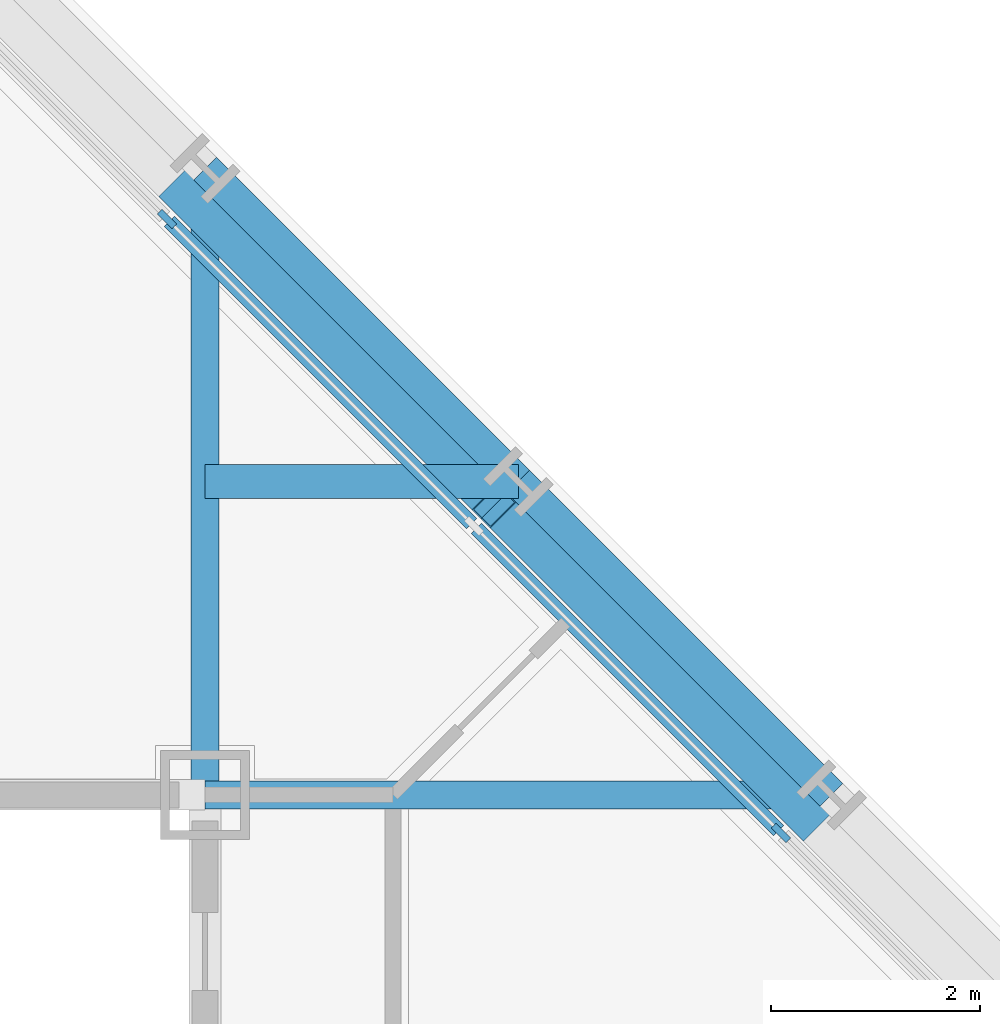
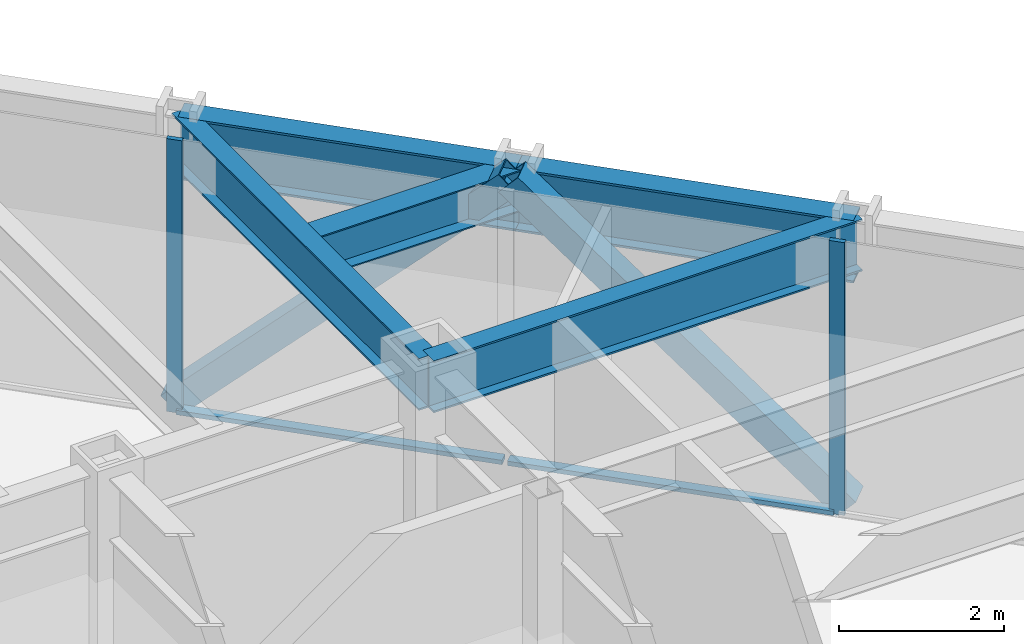
# One storey, part 8 of 15: 6 members, 5 beams, 1 element without a shape of its own.
"""IFC4 building model written with IfcOpenShell, lengths in metres."""

import ifcopenshell
import ifcopenshell.guid

model = None  # the IFC model being written
_history = None  # IfcOwnerHistory: only IFC2X3 demands one
_inside = {}  # id of a spatial element -> (the spatial element, [elements in it])
_under = {}  # id of a project, library or spatial element -> (it, [spatial elements below it])
_declared = {}  # id of a project -> (the project, [libraries it declares])
_typed = {}  # id of a type object -> (the type object, [elements of that type])
_made_of = {}  # id of a material, layer set ... -> (it, [elements and type objects made of it])


def new_model(schema):
    """Start an empty IFC model of exactly this schema.

    Asked for "IFC4X3", IfcOpenShell would pick the latest addendum, in which some entities
    have other attributes; the version numbers below select the first issue.
    IFC2X3 requires an IfcOwnerHistory on every rooted entity: one is made here for all.
    """
    global model, _history
    if schema == "IFC4X3":
        model = ifcopenshell.file(schema_version=(4, 3, 0, 0))
    else:
        model = ifcopenshell.file(schema=schema)
    _inside.clear()
    _under.clear()
    _declared.clear()
    _typed.clear()
    _made_of.clear()
    _history = None
    if model.schema == "IFC2X3":
        org = make("IfcOrganization", Name="unknown")
        user = make(
            "IfcPersonAndOrganization",
            ThePerson=make("IfcPerson", FamilyName="unknown"),
            TheOrganization=org,
        )
        app = make(
            "IfcApplication",
            ApplicationDeveloper=org,
            Version="unknown",
            ApplicationFullName="unknown",
            ApplicationIdentifier="unknown",
        )
        _history = make(
            "IfcOwnerHistory",
            OwningUser=user,
            OwningApplication=app,
            ChangeAction="ADDED",
            CreationDate=0,
        )
    return model


def make(cls, **values):
    """One entity of the class cls with the attributes given. An attribute that is None is left unset."""
    return model.create_entity(
        cls, **{name: value for name, value in values.items() if value is not None}
    )


def rooted(cls, **values):
    """An entity with a GlobalId (a new one), such as an element, a storey or a relation."""
    return make(cls, GlobalId=ifcopenshell.guid.new(), OwnerHistory=_history, **values)


def si_unit(unit_type, name, prefix=None):
    """IfcSIUnit, for example si_unit("LENGTHUNIT", "METRE", prefix="MILLI")."""
    return make("IfcSIUnit", UnitType=unit_type, Prefix=prefix, Name=name)


def assignment(units):
    """IfcUnitAssignment: the units of a project."""
    return None if units is None else make("IfcUnitAssignment", Units=units)


def point(xyz):
    """IfcCartesianPoint."""
    return None if xyz is None else make("IfcCartesianPoint", Coordinates=xyz)


def direction(xyz):
    """IfcDirection."""
    return None if xyz is None else make("IfcDirection", DirectionRatios=xyz)


def frame(location, z_axis=None, x_axis=None):
    """IfcAxis2Placement3D, a coordinate frame: its origin and axes. An axis left out is left unset."""
    return make(
        "IfcAxis2Placement3D",
        Location=point(location),
        Axis=direction(z_axis),
        RefDirection=direction(x_axis),
    )


def frame_2d(location, x_axis=None):
    """IfcAxis2Placement2D, a coordinate frame in the plane: its origin and x axis."""
    return make(
        "IfcAxis2Placement2D", Location=point(location), RefDirection=direction(x_axis)
    )


def origin():
    """The frame at (0, 0, 0) with its axes left unset."""
    return frame((0.0, 0.0, 0.0))


def origin_2d():
    """The frame at (0, 0) in the plane with its x axis left unset."""
    return frame_2d((0.0, 0.0))


def place(relative_to, where):
    """IfcLocalPlacement: puts the frame where relative to a parent placement (None: the world)."""
    return make(
        "IfcLocalPlacement", PlacementRelTo=relative_to, RelativePlacement=where
    )


def context(
    kind, dimensions, precision=None, world=None, true_north=None, identifier=None
):
    """IfcGeometricRepresentationContext, for example the 3D "Model" context."""
    return make(
        "IfcGeometricRepresentationContext",
        ContextIdentifier=identifier,
        ContextType=kind,
        CoordinateSpaceDimension=dimensions,
        Precision=precision,
        WorldCoordinateSystem=world,
        TrueNorth=true_north,
    )


def subcontext(parent, identifier, kind, view, scale=None):
    """IfcGeometricRepresentationSubContext, for example "Body" below "Model"."""
    return make(
        "IfcGeometricRepresentationSubContext",
        ContextIdentifier=identifier,
        ContextType=kind,
        ParentContext=parent,
        TargetScale=scale,
        TargetView=view,
    )


def project(units=None, contexts=None):
    """IfcProject with its units and contexts."""
    return rooted(
        "IfcProject",
        Name="project",
        RepresentationContexts=contexts,
        UnitsInContext=assignment(units),
    )


def spatial(cls, under=None, at=None, **own):
    """A site, building, storey or space (cls), placed at a placement, below another one or the project."""
    s = rooted(cls, ObjectPlacement=at, **own)
    if under is not None:
        _under.setdefault(under.id(), (under, []))[1].append(s)
    return s


def profile(cls, at=None, kind="AREA", **sizes):
    """A parametric profile (cls). Its sizes go by their IFC names, for example OverallWidth=200.0."""
    return make(cls, ProfileType=kind, Position=at, **sizes)


def rectangle(**sizes):
    """IfcRectangleProfileDef."""
    return profile("IfcRectangleProfileDef", **sizes)


def hollow_rectangle(**sizes):
    """IfcRectangleHollowProfileDef."""
    return profile("IfcRectangleHollowProfileDef", **sizes)


def i_section(**sizes):
    """IfcIShapeProfileDef."""
    return profile("IfcIShapeProfileDef", **sizes)


def extrude(swept, where, along, depth):
    """IfcExtrudedAreaSolid: the profile swept, set in the frame where, extruded along a direction by depth."""
    return make(
        "IfcExtrudedAreaSolid",
        SweptArea=swept,
        Position=where,
        ExtrudedDirection=direction(along),
        Depth=depth,
    )


def shape(context_of_items, identifier, shape_type, items):
    """IfcShapeRepresentation: the items that make up one representation, for example the "Body"."""
    return make(
        "IfcShapeRepresentation",
        ContextOfItems=context_of_items,
        RepresentationIdentifier=identifier,
        RepresentationType=shape_type,
        Items=items,
    )


def material(Name=None, Category=None):
    """IfcMaterial."""
    return make("IfcMaterial", Name=Name, Category=Category)


def layer(
    of_material, thickness, ventilated=None, Name=None, Category=None, Priority=None
):
    """IfcMaterialLayer: one layer of a wall or slab, of a material (None: an air gap)."""
    return make(
        "IfcMaterialLayer",
        Material=of_material,
        LayerThickness=thickness,
        IsVentilated=ventilated,
        Name=Name,
        Category=Category,
        Priority=Priority,
    )


def layer_set(layers, Name=None):
    """IfcMaterialLayerSet."""
    return make("IfcMaterialLayerSet", MaterialLayers=layers, LayerSetName=Name)


def material_profile(
    of_material, cross_section, Name=None, Category=None, Priority=None
):
    """IfcMaterialProfile: a cross section and its material."""
    return make(
        "IfcMaterialProfile",
        Name=Name,
        Material=of_material,
        Profile=cross_section,
        Priority=Priority,
        Category=Category,
    )


def profile_set(profiles, Name=None, composite=None):
    """IfcMaterialProfileSet."""
    return make(
        "IfcMaterialProfileSet",
        Name=Name,
        MaterialProfiles=profiles,
        CompositeProfile=composite,
    )


def made_of(thing, what):
    """Note that an element or type object is made of a material, layer set ...; save() writes the relation."""
    if what is not None:
        _made_of.setdefault(what.id(), (what, []))[1].append(thing)
    return thing


def type_object(cls, material=None, **own):
    """A type object (cls), such as IfcWallType, which elements share."""
    return made_of(rooted(cls, **own), material)


def element(
    cls,
    number,
    at=None,
    inside=None,
    cuts=None,
    type_object=None,
    material=None,
    context=None,
    identifier="Body",
    shape_type=None,
    held_by="IfcProductDefinitionShape",
    body=None,
    shapes=None,
    **own,
):
    """One element of the class cls, such as IfcWall. Its Tag is "e" and its number.

    at: its placement. inside: the storey or other place that contains it. cuts: it is an
    opening in that element (IfcRelVoidsElement). A single representation is given by context,
    identifier, shape_type and body (its items); several are given by shapes. held_by: the class
    of the entity that holds the representations. save() writes the other relations.
    """
    e = rooted(cls, Tag="e%d" % number, ObjectPlacement=at, **own)
    if body is not None:
        shapes = [shape(context, identifier, shape_type, body)]
    if shapes is not None:
        e.Representation = make(held_by, Representations=shapes)
    if inside is not None:
        _inside.setdefault(inside.id(), (inside, []))[1].append(e)
    if cuts is not None:
        rooted(
            "IfcRelVoidsElement", RelatingBuildingElement=cuts, RelatedOpeningElement=e
        )
    if type_object is not None:
        _typed.setdefault(type_object.id(), (type_object, []))[1].append(e)
    return made_of(e, material)


def aggregate(whole, parts):
    """IfcRelAggregates: a whole, such as a stair, and the parts it consists of."""
    return rooted("IfcRelAggregates", RelatingObject=whole, RelatedObjects=parts)


def save(model, path):
    """Write the relations noted so far, then the file.

    IfcRelAggregates (storeys below a building ...), IfcRelContainedInSpatialStructure (elements
    in a storey), IfcRelDefinesByType, IfcRelAssociatesMaterial and IfcRelDeclares: one each for
    every whole, place, type object, material and project.
    """
    for whole, parts in _under.values():
        aggregate(whole, parts)
    for where, things in _inside.values():
        rooted(
            "IfcRelContainedInSpatialStructure",
            RelatedElements=things,
            RelatingStructure=where,
        )
    for kind, things in _typed.values():
        rooted("IfcRelDefinesByType", RelatedObjects=things, RelatingType=kind)
    for what, things in _made_of.values():
        rooted("IfcRelAssociatesMaterial", RelatedObjects=things, RelatingMaterial=what)
    for by, libraries in _declared.values():
        rooted("IfcRelDeclares", RelatingContext=by, RelatedDefinitions=libraries)
    model.write(path)


model = new_model("IFC4")

# Units and contexts
model_context = context("Model", 3, precision=1e-05, world=origin(), true_north=direction((0.0, 1.0)))
body_context = subcontext(model_context, "Body", "Model", "MODEL_VIEW")
ifc_project = project(units=[si_unit("LENGTHUNIT", "METRE"), si_unit("AREAUNIT", "SQUARE_METRE"), si_unit("VOLUMEUNIT", "CUBIC_METRE"), si_unit("PLANEANGLEUNIT", "RADIAN"), si_unit("MASSUNIT", "GRAM", prefix="KILO")], contexts=[model_context])

# Site, building, storey
site_placement = place(None, origin())
site = spatial("IfcSite", under=ifc_project, at=site_placement, CompositionType="ELEMENT")
building_placement = place(site_placement, origin())
building = spatial("IfcBuilding", under=site, at=building_placement, Name="Chuquiago Exchange Tower", CompositionType="ELEMENT")
storey_placement = place(building_placement, frame((0.0, 0.0, 188.699951171875)))
storey = spatial("IfcBuildingStorey", under=building, at=storey_placement, Name="L41", CompositionType="ELEMENT", Elevation=188.699951171875)

# Beam
ifc_material_1 = material(Name="Steel ASTM A992", Category="steel")
ifc_material_profile_1 = material_profile(ifc_material_1, i_section(OverallWidth=0.3251953125, OverallDepth=0.612060546875, WebThickness=0.0126953125, FlangeThickness=0.01904296875, at=origin_2d()), Name="W24X104")
ifc_profile_set_1 = profile_set([ifc_material_profile_1], Name="Steel ASTM A992")
beam_type_1 = type_object("IfcBeamType", Name="B2 W24X104", PredefinedType="BEAM", material=ifc_profile_set_1)
beam_placement = place(storey_placement, frame((33.0, 36.0, 3.73388671875), z_axis=(1.0, 0.0, 0.0), x_axis=(0.0, 1.0, 0.0)))
element("IfcBeam", 1, at=beam_placement, inside=storey, type_object=beam_type_1, Name="FB-L42-corner-33_36-36_36-0", PredefinedType="BEAM", context=body_context, shape_type="SweptSolid", body=[
    extrude(i_section(OverallWidth=0.3251953125, OverallDepth=0.612060546875, WebThickness=0.0126953125, FlangeThickness=0.01904296875, at=origin_2d()), origin(), (0.0, 0.0, 1.0), 3.0),
])

# Curtain wall, members
ifc_material_2 = material(Name="Aluminium curtain wall system", Category="aluminium")
ifc_layer = layer(ifc_material_2, 0.199951171875)
ifc_layer_set = layer_set([ifc_layer], Name="CW3 facet curtain wall")
curtain_wall_type = type_object("IfcCurtainWallType", Name="CW3 facet curtain wall", PredefinedType="NOTDEFINED", material=ifc_layer_set)
curtain_wall_placement = place(storey_placement, origin())
curtain_wall = element("IfcCurtainWall", 2, at=curtain_wall_placement, inside=storey, type_object=curtain_wall_type, Name="CW3 curtain wall L41", PredefinedType="NOTDEFINED")
ifc_material_3 = material(Name="Aluminium mullion, pale anodised", Category="aluminium")
ifc_material_profile_2 = material_profile(ifc_material_3, rectangle(XDim=0.06494140625, YDim=0.199951171875, at=origin_2d()), Name="AL 65x200")
ifc_profile_set_2 = profile_set([ifc_material_profile_2], Name="Aluminium mullion, pale anodised")
member_type_1 = type_object("IfcMemberType", Name="CW3-M mullion 65x200", PredefinedType="MULLION", material=ifc_profile_set_2)
member_1_placement = place(storey_placement, frame((38.51708984375, 32.63427734375, 0.0), z_axis=(0.0, 0.0, 1.0), x_axis=(-0.707106781187, -0.707106781187, 0.0)))
member_1 = element("IfcMember", 3, at=member_1_placement, type_object=member_type_1, Name="CW3 mullion 3", PredefinedType="MULLION", context=body_context, shape_type="SweptSolid", body=[
    extrude(rectangle(XDim=0.06494140625, YDim=0.199951171875, at=origin_2d()), origin(), (0.0, 0.0, 1.0), 4.0400390625),
])
member_2_placement = place(storey_placement, frame((32.63427734375, 38.51708984375, 0.0), z_axis=(0.0, 0.0, 1.0), x_axis=(-0.707106781187, -0.707106781187, 0.0)))
member_2 = element("IfcMember", 4, at=member_2_placement, type_object=member_type_1, Name="CW3 mullion 5", PredefinedType="MULLION", context=body_context, shape_type="SweptSolid", body=[
    extrude(rectangle(XDim=0.06494140625, YDim=0.199951171875, at=origin_2d()), origin(), (0.0, 0.0, 1.0), 4.0400390625),
])
ifc_material_4 = material(Name="Aluminium transom, pale anodised", Category="aluminium")
ifc_material_profile_3 = material_profile(ifc_material_4, rectangle(XDim=0.139892578125, YDim=0.06494140625, at=origin_2d()), Name="AL 140x65")
ifc_profile_set_3 = profile_set([ifc_material_profile_3], Name="Aluminium transom, pale anodised")
member_type_2 = type_object("IfcMemberType", Name="CW3-T transom 65x140", PredefinedType="MULLION", material=ifc_profile_set_3)
member_3_placement = place(storey_placement, frame((38.494140625, 32.6572265625, 0.032470703125), z_axis=(-0.707106781187, 0.707106781187, 0.0), x_axis=(-0.707106781187, -0.707106781187, 0.0)))
member_3 = element("IfcMember", 5, at=member_3_placement, type_object=member_type_2, Name="CW3 transom 3.1", PredefinedType="MULLION", context=body_context, shape_type="SweptSolid", body=[
    extrude(rectangle(XDim=0.139892578125, YDim=0.06494140625, at=origin_2d()), origin(), (0.0, 0.0, 1.0), 4.094970703125),
])
member_4_placement = place(storey_placement, frame((35.552734375, 35.5986328125, 0.032470703125), z_axis=(-0.707106781187, 0.707106781187, 0.0), x_axis=(-0.707106781187, -0.707106781187, 0.0)))
member_4 = element("IfcMember", 6, at=member_4_placement, type_object=member_type_2, Name="CW3 transom 4.1", PredefinedType="MULLION", context=body_context, shape_type="SweptSolid", body=[
    extrude(rectangle(XDim=0.139892578125, YDim=0.06494140625, at=origin_2d()), origin(), (0.0, 0.0, 1.0), 4.094970703125),
])
aggregate(curtain_wall, [member_1, member_2, member_3, member_4])

# Beams
ifc_material_5 = material(Name="Steel ASTM A992", Category="steel")
ifc_material_profile_4 = material_profile(ifc_material_5, i_section(OverallWidth=0.2666015625, OverallDepth=0.76953125, WebThickness=0.015625, FlangeThickness=0.025390625, at=origin_2d()), Name="W30X132")
ifc_profile_set_4 = profile_set([ifc_material_profile_4], Name="Steel ASTM A992")
beam_type_2 = type_object("IfcBeamType", Name="G1 W30X132", PredefinedType="BEAM", material=ifc_profile_set_4)
for number, where, z_axis, x_axis, name in (
    (7, (33.0, 33.0, 3.6552734375), (0.0, 1.0, 0.0), (-1.0, 0.0, 0.0), "FB-L42-girder-33_33-33_39-0"),
    (8, (33.0, 33.0, 3.6552734375), (1.0, 0.0, 0.0), (0.0, 1.0, 0.0), "FB-L42-girder-33_33-39_33-0"),
):
    element("IfcBeam", number, at=place(storey_placement, frame(where, z_axis=z_axis, x_axis=x_axis)), inside=storey, type_object=beam_type_2, Name=name, PredefinedType="BEAM", context=body_context, shape_type="SweptSolid", body=[
        extrude(i_section(OverallWidth=0.2666015625, OverallDepth=0.76953125, WebThickness=0.015625, FlangeThickness=0.025390625, at=origin_2d()), origin(), (0.0, 0.0, 1.0), 6.0),
    ])

# Members
ifc_material_6 = material(Name="Steel ASTM A500 Grade C", Category="steel")
ifc_material_profile_5 = material_profile(ifc_material_6, hollow_rectangle(XDim=0.355712890625, YDim=0.355712890625, WallThickness=0.0146484375, at=origin_2d()), Name="HSS14X14X5/8")
ifc_profile_set_5 = profile_set([ifc_material_profile_5], Name="Steel ASTM A500 Grade C")
member_type_3 = type_object("IfcMemberType", Name="LB2 HSS14X14X5/8", PredefinedType="BRACE", material=ifc_profile_set_5)
for number, where, z_axis, x_axis, name in (
    (9, (38.7685546875, 32.7685546875, 0.0), (-0.512077265487, 0.512077265487, 0.689604051861), (-0.707106781187, -0.707106781187, 0.0), "LB-L41-39_33-36_36"),
    (10, (32.7685546875, 38.7685546875, 0.0), (0.512077265487, -0.512077265487, 0.689604051861), (0.707106781187, 0.707106781187, 0.0), "LB-L41-36_36-33_39"),
):
    element("IfcMember", number, at=place(storey_placement, frame(where, z_axis=z_axis, x_axis=x_axis)), inside=storey, type_object=member_type_3, Name=name, PredefinedType="BRACE", context=body_context, shape_type="SweptSolid", body=[
        extrude(hollow_rectangle(XDim=0.355712890625, YDim=0.355712890625, WallThickness=0.0146484375, at=origin_2d()), origin(), (0.0, 0.0, 1.0), 5.8583984375),
    ])

# Beams
ifc_material_7 = material(Name="Steel ASTM A992", Category="steel")
ifc_material_profile_6 = material_profile(ifc_material_7, i_section(OverallWidth=0.307373046875, OverallDepth=0.927001953125, WebThickness=0.01953125, FlangeThickness=0.031982421875, at=origin_2d()), Name="W36X194")
ifc_profile_set_6 = profile_set([ifc_material_profile_6], Name="Steel ASTM A992")
beam_type_3 = type_object("IfcBeamType", Name="SP3 W36X194", PredefinedType="SPANDREL", material=ifc_profile_set_6)
for number, where, z_axis, x_axis, name in (
    (11, (39.0, 33.0, 3.57666015625), (-0.707106781187, 0.707106781187, 0.0), (-0.707106781187, -0.707106781187, 0.0), "SPB-L42-39_33-36_36"),
    (12, (36.0, 36.0, 3.57666015625), (-0.707106781187, 0.707106781187, 0.0), (-0.707106781187, -0.707106781187, 0.0), "SPB-L42-36_36-33_39"),
):
    element("IfcBeam", number, at=place(storey_placement, frame(where, z_axis=z_axis, x_axis=x_axis)), inside=storey, type_object=beam_type_3, Name=name, PredefinedType="SPANDREL", context=body_context, shape_type="SweptSolid", body=[
        extrude(i_section(OverallWidth=0.307373046875, OverallDepth=0.927001953125, WebThickness=0.01953125, FlangeThickness=0.031982421875, at=origin_2d()), origin(), (0.0, 0.0, 1.0), 4.24267578125),
    ])

save(model, "model.ifc")
